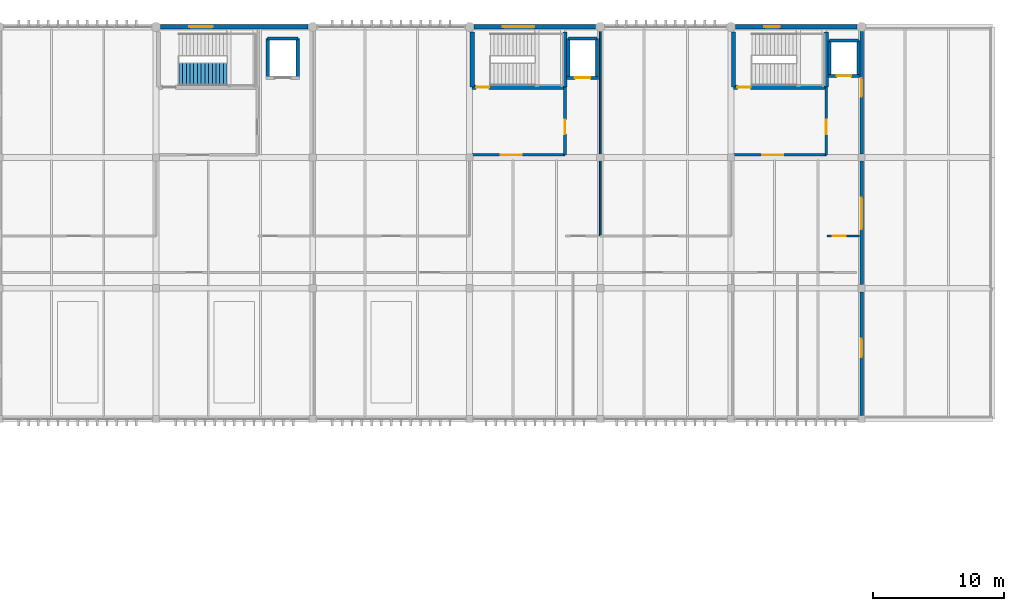
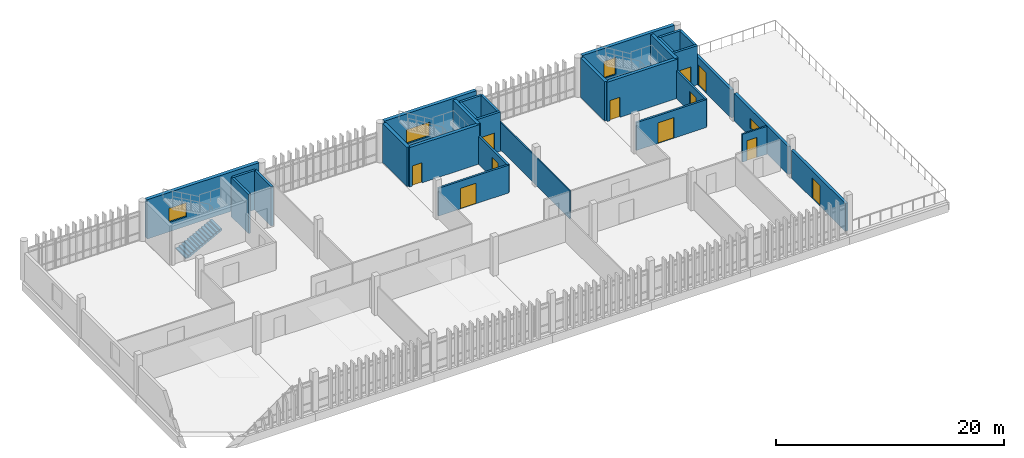
# One storey, part 26 of 29: 29 walls, 11 doors, 4 windows, 1 stair flight, 15 openings, 1 element without a shape of its own.
"""IFC4 building model written with IfcOpenShell, lengths in metres."""

from ifc_helpers import new_model, si_unit, direction, frame, frame_2d, origin, place, context, subcontext, project, spatial, polyline, rectangle, outline, extrude, material, layer, layer_set, type_object, element, fill, aggregate, save


model = new_model("IFC4")

# Units and contexts
model_context = context("Model", 3, precision=1e-05, world=origin(), true_north=direction((0.0, 1.0)))
body_context = subcontext(model_context, "Body", "Model", "MODEL_VIEW")
ifc_project = project(units=[si_unit("LENGTHUNIT", "METRE"), si_unit("AREAUNIT", "SQUARE_METRE"), si_unit("VOLUMEUNIT", "CUBIC_METRE"), si_unit("PLANEANGLEUNIT", "RADIAN"), si_unit("MASSUNIT", "GRAM", prefix="KILO")], contexts=[model_context])

# Site, building, storey
site_placement = place(None, origin())
site = spatial("IfcSite", under=ifc_project, at=site_placement, CompositionType="ELEMENT")
building_placement = place(site_placement, origin())
building = spatial("IfcBuilding", under=site, at=building_placement, Name="Mersad Railyard Sports Hall", CompositionType="ELEMENT")
storey_placement = place(building_placement, frame((0.0, 0.0, 17.39990234375)))
storey = spatial("IfcBuildingStorey", under=building, at=storey_placement, Name="L04", CompositionType="ELEMENT", Elevation=17.39990234375)

# Wall, opening, window
ifc_material_1 = material(Name="Architectural concrete C50/60", Category="concrete")
ifc_layer_1 = layer(ifc_material_1, 0.35009765625)
ifc_layer_set_1 = layer_set([ifc_layer_1], Name="Architectural concrete C50/60")
wall_type_1 = type_object("IfcWallType", Name="ARC-WL-EW02", PredefinedType="SOLIDWALL", material=ifc_layer_set_1)
wall_1_placement = place(storey_placement, frame((67.35009765625, 115.0, 0.0), z_axis=(0.0, 0.0, 1.0), x_axis=(1.0, 0.0, 0.0)))
wall_1 = element("IfcWall", 1, at=wall_1_placement, inside=storey, type_object=wall_type_1, Name="External wall EW02-0138", PredefinedType="SOLIDWALL", context=body_context, shape_type="SweptSolid", body=[
    extrude(rectangle(XDim=11.2998046875, YDim=0.35009765625, at=frame_2d((5.64990234375, 0.0))), origin(), (0.0, 0.0, 1.0), 4.2001953125),
])
opening_1_placement = place(wall_1_placement, frame((2.199951171875, 0.0, 1.0)))
opening_1 = element("IfcOpeningElement", 2, at=opening_1_placement, cuts=wall_1, Name="Opening W05", PredefinedType="OPENING", context=body_context, shape_type="SweptSolid", body=[
    extrude(rectangle(XDim=1.800048828125, YDim=1.5, at=frame_2d((0.89990234375, 0.75))), frame((0.0, 0.18505859375, 0.0), z_axis=(0.0, -1.0, 0.0), x_axis=(1.0, 0.0, 0.0)), (0.0, 0.0, 1.0), 0.3701171875),
])
ifc_material_2 = material(Name="Solar-control glass", Category="glass")
window_type_1 = type_object("IfcWindowType", Name="ARC-WN-W05", PartitioningType="DOUBLE_PANEL_VERTICAL", PredefinedType="WINDOW", material=ifc_material_2)
window_1_placement = place(opening_1_placement, origin())
window_1 = element("IfcWindow", 3, at=window_1_placement, inside=storey, type_object=window_type_1, Name="Window W05-0049", OverallHeight=1.5, OverallWidth=1.800048828125, PartitioningType="DOUBLE_PANEL_VERTICAL", PredefinedType="WINDOW", context=body_context, shape_type="SweptSolid", body=[
    extrude(rectangle(XDim=1.800048828125, YDim=1.5, at=frame_2d((0.89990234375, 0.75))), frame((0.0, 0.030029296875, 0.0), z_axis=(0.0, -1.0, 0.0), x_axis=(1.0, 0.0, 0.0)), (0.0, 0.0, 1.0), 0.06005859375),
])
fill(opening_1, window_1)

wall_2_placement = place(storey_placement, frame((91.35009765625, 115.0, 0.0), z_axis=(0.0, 0.0, 1.0), x_axis=(1.0, 0.0, 0.0)))
wall_2 = element("IfcWall", 4, at=wall_2_placement, inside=storey, type_object=wall_type_1, Name="External wall EW02-0139", PredefinedType="SOLIDWALL", context=body_context, shape_type="SweptSolid", body=[
    extrude(rectangle(XDim=9.2998046875, YDim=0.35009765625, at=frame_2d((4.64990234375, 0.0))), origin(), (0.0, 0.0, 1.0), 4.2001953125),
])
opening_2_placement = place(wall_2_placement, frame((2.199951171875, 0.0, 1.0)))
opening_2 = element("IfcOpeningElement", 5, at=opening_2_placement, cuts=wall_2, Name="Opening W07", PredefinedType="OPENING", context=body_context, shape_type="SweptSolid", body=[
    extrude(rectangle(XDim=2.39990234375, YDim=1.5, at=frame_2d((1.199951171875, 0.75))), frame((0.0, 0.18505859375, 0.0), z_axis=(0.0, -1.0, 0.0), x_axis=(1.0, 0.0, 0.0)), (0.0, 0.0, 1.0), 0.3701171875),
])
window_type_2 = type_object("IfcWindowType", Name="ARC-WN-W07", PartitioningType="DOUBLE_PANEL_VERTICAL", PredefinedType="WINDOW", material=ifc_material_2)
window_2_placement = place(opening_2_placement, origin())
window_2 = element("IfcWindow", 6, at=window_2_placement, inside=storey, type_object=window_type_2, Name="Window W07-0050", OverallHeight=1.5, OverallWidth=2.39990234375, PartitioningType="DOUBLE_PANEL_VERTICAL", PredefinedType="WINDOW", context=body_context, shape_type="SweptSolid", body=[
    extrude(rectangle(XDim=2.39990234375, YDim=1.5, at=frame_2d((1.199951171875, 0.75))), frame((0.0, 0.030029296875, 0.0), z_axis=(0.0, -1.0, 0.0), x_axis=(1.0, 0.0, 0.0)), (0.0, 0.0, 1.0), 0.06005859375),
])
fill(opening_2, window_2)

wall_3_placement = place(storey_placement, frame((111.35009765625, 115.0, 0.0), z_axis=(0.0, 0.0, 1.0), x_axis=(1.0, 0.0, 0.0)))
wall_3 = element("IfcWall", 7, at=wall_3_placement, inside=storey, type_object=wall_type_1, Name="External wall EW02-0140", PredefinedType="SOLIDWALL", context=body_context, shape_type="SweptSolid", body=[
    extrude(rectangle(XDim=9.2998046875, YDim=0.35009765625, at=frame_2d((4.64990234375, 0.0))), origin(), (0.0, 0.0, 1.0), 4.2001953125),
])
opening_3_placement = place(wall_3_placement, frame((2.199951171875, 0.0, 1.0)))
opening_3 = element("IfcOpeningElement", 8, at=opening_3_placement, cuts=wall_3, Name="Opening W09", PredefinedType="OPENING", context=body_context, shape_type="SweptSolid", body=[
    extrude(rectangle(XDim=1.199951171875, YDim=1.800048828125, at=frame_2d((0.60009765625, 0.89990234375))), frame((0.0, 0.18505859375, 0.0), z_axis=(0.0, -1.0, 0.0), x_axis=(1.0, 0.0, 0.0)), (0.0, 0.0, 1.0), 0.3701171875),
])
window_type_3 = type_object("IfcWindowType", Name="ARC-WN-W09", PartitioningType="SINGLE_PANEL", PredefinedType="WINDOW", material=ifc_material_2)
window_3_placement = place(opening_3_placement, origin())
window_3 = element("IfcWindow", 9, at=window_3_placement, inside=storey, type_object=window_type_3, Name="Window W09-0051", OverallHeight=1.800048828125, OverallWidth=1.199951171875, PartitioningType="SINGLE_PANEL", PredefinedType="WINDOW", context=body_context, shape_type="SweptSolid", body=[
    extrude(rectangle(XDim=1.199951171875, YDim=1.800048828125, at=frame_2d((0.60009765625, 0.89990234375))), frame((0.0, 0.030029296875, 0.0), z_axis=(0.0, -1.0, 0.0), x_axis=(1.0, 0.0, 0.0)), (0.0, 0.0, 1.0), 0.06005859375),
])
fill(opening_3, window_3)

# Wall, opening, door
ifc_material_3 = material(Name="Precast concrete C45/55", Category="concrete")
ifc_layer_2 = layer(ifc_material_3, 0.280029296875)
ifc_layer_set_2 = layer_set([ifc_layer_2], Name="Precast concrete C45/55")
wall_type_2 = type_object("IfcWallType", Name="ARC-WL-EW03", PredefinedType="SOLIDWALL", material=ifc_layer_set_2)
wall_4_placement = place(storey_placement, frame((121.0, 94.72509765625, 0.0), z_axis=(0.0, 0.0, 1.0), x_axis=(0.0, -1.0, 0.0)))
wall_4 = element("IfcWall", 10, at=wall_4_placement, inside=storey, type_object=wall_type_2, Name="External wall EW03-0144", PredefinedType="SOLIDWALL", context=body_context, shape_type="SweptSolid", body=[
    extrude(rectangle(XDim=9.4501953125, YDim=0.280029296875, at=frame_2d((4.72509765625, 0.0))), origin(), (0.0, 0.0, 1.0), 2.97509765625),
])
opening_4_placement = place(wall_4_placement, frame((3.60009765625, 0.0, 0.0)))
opening_4 = element("IfcOpeningElement", 11, at=opening_4_placement, cuts=wall_4, Name="Opening TD03", PredefinedType="OPENING", context=body_context, shape_type="SweptSolid", body=[
    extrude(rectangle(XDim=1.39990234375, YDim=2.199951171875, at=frame_2d((0.699951171875, 1.10009765625))), frame((0.0, 0.14990234375, 0.0), z_axis=(0.0, -1.0, 0.0), x_axis=(1.0, 0.0, 0.0)), (0.0, 0.0, 1.0), 0.300048828125),
])
ifc_material_4 = material(Name="Aluminium 6063-T6", Category="aluminium")
door_type_1 = type_object("IfcDoorType", Name="ARC-DR-TD03", OperationType="NOTDEFINED", PredefinedType="DOOR", material=ifc_material_4)
door_1_placement = place(opening_4_placement, origin())
door_1 = element("IfcDoor", 12, at=door_1_placement, inside=storey, type_object=door_type_1, Name="L04 east terrace door TD03-044", OperationType="DOUBLE_DOOR_SINGLE_SWING", OverallHeight=2.199951171875, OverallWidth=1.39990234375, PredefinedType="DOOR", context=body_context, shape_type="SweptSolid", body=[
    extrude(rectangle(XDim=1.39990234375, YDim=2.199951171875, at=frame_2d((0.699951171875, 1.10009765625))), frame((0.0, 0.02490234375, 0.0), z_axis=(0.0, -1.0, 0.0), x_axis=(1.0, 0.0, 0.0)), (0.0, 0.0, 1.0), 0.050048828125),
])
fill(opening_4, door_1)

# Wall, opening, window
wall_5_placement = place(storey_placement, frame((121.0, 104.72509765625, 0.0), z_axis=(0.0, 0.0, 1.0), x_axis=(0.0, -1.0, 0.0)))
wall_5 = element("IfcWall", 13, at=wall_5_placement, inside=storey, type_object=wall_type_2, Name="External wall EW03-0145", PredefinedType="SOLIDWALL", context=body_context, shape_type="SweptSolid", body=[
    extrude(rectangle(XDim=9.4501953125, YDim=0.280029296875, at=frame_2d((4.72509765625, 0.0))), origin(), (0.0, 0.0, 1.0), 2.97509765625),
])
opening_5_placement = place(wall_5_placement, frame((2.800048828125, 0.0, 0.89990234375)))
opening_5 = element("IfcOpeningElement", 14, at=opening_5_placement, cuts=wall_5, Name="Opening W23", PredefinedType="OPENING", context=body_context, shape_type="SweptSolid", body=[
    extrude(rectangle(XDim=2.39990234375, YDim=1.10009765625, at=frame_2d((1.199951171875, 0.550048828125))), frame((0.0, 0.14990234375, 0.0), z_axis=(0.0, -1.0, 0.0), x_axis=(1.0, 0.0, 0.0)), (0.0, 0.0, 1.0), 0.300048828125),
])
window_type_4 = type_object("IfcWindowType", Name="ARC-WN-W23", PartitioningType="DOUBLE_PANEL_VERTICAL", PredefinedType="WINDOW", material=ifc_material_2)
window_4_placement = place(opening_5_placement, origin())
window_4 = element("IfcWindow", 15, at=window_4_placement, inside=storey, type_object=window_type_4, Name="Window W23-0055", OverallHeight=1.10009765625, OverallWidth=2.39990234375, PartitioningType="DOUBLE_PANEL_VERTICAL", PredefinedType="WINDOW", context=body_context, shape_type="SweptSolid", body=[
    extrude(rectangle(XDim=2.39990234375, YDim=1.10009765625, at=frame_2d((1.199951171875, 0.550048828125))), frame((0.0, 0.030029296875, 0.0), z_axis=(0.0, -1.0, 0.0), x_axis=(1.0, 0.0, 0.0)), (0.0, 0.0, 1.0), 0.06005859375),
])
fill(opening_5, window_4)

# Wall, opening, door
wall_6_placement = place(storey_placement, frame((121.0, 114.64990234375, 0.0), z_axis=(0.0, 0.0, 1.0), x_axis=(0.0, -1.0, 0.0)))
wall_6 = element("IfcWall", 16, at=wall_6_placement, inside=storey, type_object=wall_type_2, Name="External wall EW03-0146", PredefinedType="SOLIDWALL", context=body_context, shape_type="SweptSolid", body=[
    extrude(rectangle(XDim=9.375, YDim=0.280029296875, at=frame_2d((4.6875, 0.0))), origin(), (0.0, 0.0, 1.0), 2.97509765625),
])
opening_6_placement = place(wall_6_placement, frame((3.60009765625, 0.0, 0.0)))
opening_6 = element("IfcOpeningElement", 17, at=opening_6_placement, cuts=wall_6, Name="Opening TD03", PredefinedType="OPENING", context=body_context, shape_type="SweptSolid", body=[
    extrude(rectangle(XDim=1.39990234375, YDim=2.199951171875, at=frame_2d((0.699951171875, 1.10009765625))), frame((0.0, 0.14990234375, 0.0), z_axis=(0.0, -1.0, 0.0), x_axis=(1.0, 0.0, 0.0)), (0.0, 0.0, 1.0), 0.300048828125),
])
door_2_placement = place(opening_6_placement, origin())
door_2 = element("IfcDoor", 18, at=door_2_placement, inside=storey, type_object=door_type_1, Name="L04 east terrace door TD03-045", OperationType="DOUBLE_DOOR_SINGLE_SWING", OverallHeight=2.199951171875, OverallWidth=1.39990234375, PredefinedType="DOOR", context=body_context, shape_type="SweptSolid", body=[
    extrude(rectangle(XDim=1.39990234375, YDim=2.199951171875, at=frame_2d((0.699951171875, 1.10009765625))), frame((0.0, 0.02490234375, 0.0), z_axis=(0.0, -1.0, 0.0), x_axis=(1.0, 0.0, 0.0)), (0.0, 0.0, 1.0), 0.050048828125),
])
fill(opening_6, door_2)

ifc_layer_3 = layer(ifc_material_3, 0.199951171875)
ifc_layer_set_3 = layer_set([ifc_layer_3], Name="Precast concrete C45/55")
wall_type_3 = type_object("IfcWallType", Name="ARC-WL-PT01", PredefinedType="PARTITIONING", material=ifc_layer_set_3)
wall_7_placement = place(storey_placement, frame((91.199951171875, 105.199951171875, 0.0), z_axis=(0.0, 0.0, 1.0), x_axis=(1.0, 0.0, 0.0)))
wall_7 = element("IfcWall", 19, at=wall_7_placement, inside=storey, type_object=wall_type_3, Name="Interior wall PT01-0226", PredefinedType="PARTITIONING", context=body_context, shape_type="SweptSolid", body=[
    extrude(rectangle(XDim=7.10009765625, YDim=0.199951171875, at=frame_2d((3.550048828125, 0.0))), origin(), (0.0, 0.0, 1.0), 2.97509765625),
])
opening_7_placement = place(wall_7_placement, frame((2.199951171875, 0.0, 0.0)))
opening_7 = element("IfcOpeningElement", 20, at=opening_7_placement, cuts=wall_7, Name="Opening FD04", PredefinedType="OPENING", context=body_context, shape_type="SweptSolid", body=[
    extrude(rectangle(XDim=1.60009765625, YDim=2.199951171875, at=frame_2d((0.800048828125, 1.10009765625))), frame((0.0, 0.10986328125, 0.0), z_axis=(0.0, -1.0, 0.0), x_axis=(1.0, 0.0, 0.0)), (0.0, 0.0, 1.0), 0.219970703125),
])
ifc_material_5 = material(Name="Steel S355", Category="steel")
door_type_2 = type_object("IfcDoorType", Name="ARC-DR-FD04", OperationType="NOTDEFINED", PredefinedType="DOOR", material=ifc_material_5)
door_3_placement = place(opening_7_placement, origin())
door_3 = element("IfcDoor", 21, at=door_3_placement, inside=storey, type_object=door_type_2, Name="C2 firefighting lobby door FD04-0090", OperationType="DOUBLE_DOOR_SINGLE_SWING", OverallHeight=2.199951171875, OverallWidth=1.60009765625, PredefinedType="DOOR", context=body_context, shape_type="SweptSolid", body=[
    extrude(rectangle(XDim=1.60009765625, YDim=2.199951171875, at=frame_2d((0.800048828125, 1.10009765625))), frame((0.0, 0.02490234375, 0.0), z_axis=(0.0, -1.0, 0.0), x_axis=(1.0, 0.0, 0.0)), (0.0, 0.0, 1.0), 0.050048828125),
])
fill(opening_7, door_3)

wall_8_placement = place(storey_placement, frame((98.300048828125, 105.199951171875, 0.0), z_axis=(0.0, 0.0, 1.0), x_axis=(0.0, 1.0, 0.0)))
wall_8 = element("IfcWall", 22, at=wall_8_placement, inside=storey, type_object=wall_type_3, Name="Interior wall PT01-0227", PredefinedType="PARTITIONING", context=body_context, shape_type="SweptSolid", body=[
    extrude(rectangle(XDim=5.179931640625, YDim=0.199951171875, at=frame_2d((2.58984375, 0.0))), origin(), (0.0, 0.0, 1.0), 2.97509765625),
])
opening_8_placement = place(wall_8_placement, frame((1.60009765625, 0.0, 0.0)))
opening_8 = element("IfcOpeningElement", 23, at=opening_8_placement, cuts=wall_8, Name="Opening FD01", PredefinedType="OPENING", context=body_context, shape_type="SweptSolid", body=[
    extrude(rectangle(XDim=1.10009765625, YDim=2.14990234375, at=frame_2d((0.550048828125, 1.074951171875))), frame((0.0, 0.10986328125, 0.0), z_axis=(0.0, -1.0, 0.0), x_axis=(1.0, 0.0, 0.0)), (0.0, 0.0, 1.0), 0.219970703125),
])
door_type_3 = type_object("IfcDoorType", Name="ARC-DR-FD01", OperationType="NOTDEFINED", PredefinedType="DOOR", material=ifc_material_5)
door_4_placement = place(opening_8_placement, origin())
door_4 = element("IfcDoor", 24, at=door_4_placement, inside=storey, type_object=door_type_3, Name="C2 lift-to-firefighting lobby door FD01-0091", OperationType="SINGLE_SWING_RIGHT", OverallHeight=2.14990234375, OverallWidth=1.10009765625, PredefinedType="DOOR", context=body_context, shape_type="SweptSolid", body=[
    extrude(rectangle(XDim=1.10009765625, YDim=2.14990234375, at=frame_2d((0.550048828125, 1.074951171875))), frame((0.0, 0.02490234375, 0.0), z_axis=(0.0, -1.0, 0.0), x_axis=(1.0, 0.0, 0.0)), (0.0, 0.0, 1.0), 0.050048828125),
])
fill(opening_8, door_4)

wall_9_placement = place(storey_placement, frame((111.199951171875, 105.199951171875, 0.0), z_axis=(0.0, 0.0, 1.0), x_axis=(1.0, 0.0, 0.0)))
wall_9 = element("IfcWall", 25, at=wall_9_placement, inside=storey, type_object=wall_type_3, Name="Interior wall PT01-0268", PredefinedType="PARTITIONING", context=body_context, shape_type="SweptSolid", body=[
    extrude(rectangle(XDim=7.10009765625, YDim=0.199951171875, at=frame_2d((3.550048828125, 0.0))), origin(), (0.0, 0.0, 1.0), 2.97509765625),
])
opening_9_placement = place(wall_9_placement, frame((2.199951171875, 0.0, 0.0)))
opening_9 = element("IfcOpeningElement", 26, at=opening_9_placement, cuts=wall_9, Name="Opening FD04", PredefinedType="OPENING", context=body_context, shape_type="SweptSolid", body=[
    extrude(rectangle(XDim=1.60009765625, YDim=2.199951171875, at=frame_2d((0.800048828125, 1.10009765625))), frame((0.0, 0.10986328125, 0.0), z_axis=(0.0, -1.0, 0.0), x_axis=(1.0, 0.0, 0.0)), (0.0, 0.0, 1.0), 0.219970703125),
])
door_5_placement = place(opening_9_placement, origin())
door_5 = element("IfcDoor", 27, at=door_5_placement, inside=storey, type_object=door_type_2, Name="C3 firefighting lobby door FD04-0118", OperationType="DOUBLE_DOOR_SINGLE_SWING", OverallHeight=2.199951171875, OverallWidth=1.60009765625, PredefinedType="DOOR", context=body_context, shape_type="SweptSolid", body=[
    extrude(rectangle(XDim=1.60009765625, YDim=2.199951171875, at=frame_2d((0.800048828125, 1.10009765625))), frame((0.0, 0.02490234375, 0.0), z_axis=(0.0, -1.0, 0.0), x_axis=(1.0, 0.0, 0.0)), (0.0, 0.0, 1.0), 0.050048828125),
])
fill(opening_9, door_5)

wall_10_placement = place(storey_placement, frame((118.300048828125, 105.199951171875, 0.0), z_axis=(0.0, 0.0, 1.0), x_axis=(0.0, 1.0, 0.0)))
wall_10 = element("IfcWall", 28, at=wall_10_placement, inside=storey, type_object=wall_type_3, Name="Interior wall PT01-0269", PredefinedType="PARTITIONING", context=body_context, shape_type="SweptSolid", body=[
    extrude(rectangle(XDim=5.179931640625, YDim=0.199951171875, at=frame_2d((2.58984375, 0.0))), origin(), (0.0, 0.0, 1.0), 2.97509765625),
])
opening_10_placement = place(wall_10_placement, frame((1.60009765625, 0.0, 0.0)))
opening_10 = element("IfcOpeningElement", 29, at=opening_10_placement, cuts=wall_10, Name="Opening FD01", PredefinedType="OPENING", context=body_context, shape_type="SweptSolid", body=[
    extrude(rectangle(XDim=1.10009765625, YDim=2.14990234375, at=frame_2d((0.550048828125, 1.074951171875))), frame((0.0, 0.10986328125, 0.0), z_axis=(0.0, -1.0, 0.0), x_axis=(1.0, 0.0, 0.0)), (0.0, 0.0, 1.0), 0.219970703125),
])
door_6_placement = place(opening_10_placement, origin())
door_6 = element("IfcDoor", 30, at=door_6_placement, inside=storey, type_object=door_type_3, Name="C3 lift-to-firefighting lobby door FD01-0119", OperationType="SINGLE_SWING_LEFT", OverallHeight=2.14990234375, OverallWidth=1.10009765625, PredefinedType="DOOR", context=body_context, shape_type="SweptSolid", body=[
    extrude(rectangle(XDim=1.10009765625, YDim=2.14990234375, at=frame_2d((0.550048828125, 1.074951171875))), frame((0.0, 0.02490234375, 0.0), z_axis=(0.0, -1.0, 0.0), x_axis=(1.0, 0.0, 0.0)), (0.0, 0.0, 1.0), 0.050048828125),
])
fill(opening_10, door_6)

ifc_material_6 = material(Name="Gypsum plasterboard", Category="gypsum")
ifc_layer_4 = layer(ifc_material_6, 0.159912109375)
ifc_layer_set_4 = layer_set([ifc_layer_4], Name="Gypsum plasterboard")
wall_type_4 = type_object("IfcWallType", Name="ARC-WL-PT02", PredefinedType="PARTITIONING", material=ifc_layer_set_4)
wall_11_placement = place(storey_placement, frame((118.35009765625, 99.0, 0.0), z_axis=(0.0, 0.0, 1.0), x_axis=(1.0, 0.0, 0.0)))
wall_11 = element("IfcWall", 31, at=wall_11_placement, inside=storey, type_object=wall_type_4, Name="Interior wall PT02-0270", PredefinedType="PARTITIONING", context=body_context, shape_type="SweptSolid", body=[
    extrude(rectangle(XDim=2.5, YDim=0.159912109375, at=frame_2d((1.25, 0.0))), origin(), (0.0, 0.0, 1.0), 2.97509765625),
])
opening_11_placement = place(wall_11_placement, frame((0.449951171875, 0.0, 0.0)))
opening_11 = element("IfcOpeningElement", 32, at=opening_11_placement, cuts=wall_11, Name="Opening FD02", PredefinedType="OPENING", context=body_context, shape_type="SweptSolid", body=[
    extrude(rectangle(XDim=1.0, YDim=2.14990234375, at=frame_2d((0.5, 1.074951171875))), frame((0.0, 0.08984375, 0.0), z_axis=(0.0, -1.0, 0.0), x_axis=(1.0, 0.0, 0.0)), (0.0, 0.0, 1.0), 0.179931640625),
])
door_type_4 = type_object("IfcDoorType", Name="ARC-DR-FD02", OperationType="NOTDEFINED", PredefinedType="DOOR", material=ifc_material_5)
door_7_placement = place(opening_11_placement, origin())
door_7 = element("IfcDoor", 33, at=door_7_placement, inside=storey, type_object=door_type_4, Name="C3 lift lobby corridor door FD02-0120", OperationType="SINGLE_SWING_RIGHT", OverallHeight=2.14990234375, OverallWidth=1.0, PredefinedType="DOOR", context=body_context, shape_type="SweptSolid", body=[
    extrude(rectangle(XDim=1.0, YDim=2.14990234375, at=frame_2d((0.5, 1.074951171875))), frame((0.0, 0.02490234375, 0.0), z_axis=(0.0, -1.0, 0.0), x_axis=(1.0, 0.0, 0.0)), (0.0, 0.0, 1.0), 0.050048828125),
])
fill(opening_11, door_7)

# Wall
ifc_layer_5 = layer(ifc_material_6, 0.1201171875)
ifc_layer_set_5 = layer_set([ifc_layer_5], Name="Gypsum plasterboard")
wall_type_5 = type_object("IfcWallType", Name="ARC-WL-PT04", PredefinedType="PARTITIONING", material=ifc_layer_set_5)
wall_12_placement = place(storey_placement, frame((101.0, 99.0, 0.0), z_axis=(0.0, 0.0, 1.0), x_axis=(0.0, 1.0, 0.0)))
element("IfcWall", 34, at=wall_12_placement, inside=storey, type_object=wall_type_5, Name="Interior wall PT04-0513", PredefinedType="PARTITIONING", context=body_context, shape_type="SweptSolid", body=[
    extrude(rectangle(XDim=15.75, YDim=0.1201171875, at=frame_2d((7.875, 0.0))), origin(), (0.0, 0.0, 1.0), 2.97509765625),
])

# Wall, opening, door
ifc_material_7 = material(Name="Concrete C40/50", Category="concrete")
ifc_layer_6 = layer(ifc_material_7, 0.320068359375)
ifc_layer_set_6 = layer_set([ifc_layer_6], Name="Concrete C40/50")
wall_type_6 = type_object("IfcWallType", Name="STR-WL-SW02", PredefinedType="SHEAR", material=ifc_layer_set_6)
wall_13_placement = place(storey_placement, frame((91.199951171875, 110.3798828125, 0.0), z_axis=(0.0, 0.0, 1.0), x_axis=(1.0, 0.0, 0.0)))
wall_13 = element("IfcWall", 35, at=wall_13_placement, inside=storey, type_object=wall_type_6, Name="Interior wall SW02-0223", PredefinedType="SHEAR", context=body_context, shape_type="SweptSolid", body=[
    extrude(rectangle(XDim=7.10009765625, YDim=0.320068359375, at=frame_2d((3.550048828125, 0.0))), origin(), (0.0, 0.0, 1.0), 4.2001953125),
])
opening_12_placement = place(wall_13_placement, frame((0.300048828125, 0.0, 0.0)))
opening_12 = element("IfcOpeningElement", 36, at=opening_12_placement, cuts=wall_13, Name="Opening FD02", PredefinedType="OPENING", context=body_context, shape_type="SweptSolid", body=[
    extrude(rectangle(XDim=1.0, YDim=2.14990234375, at=frame_2d((0.5, 1.074951171875))), frame((0.0, 0.169921875, 0.0), z_axis=(0.0, -1.0, 0.0), x_axis=(1.0, 0.0, 0.0)), (0.0, 0.0, 1.0), 0.340087890625),
])
door_8_placement = place(opening_12_placement, origin())
door_8 = element("IfcDoor", 37, at=door_8_placement, inside=storey, type_object=door_type_4, Name="C2 stair entrance door FD02-0089", OperationType="SINGLE_SWING_LEFT", OverallHeight=2.14990234375, OverallWidth=1.0, PredefinedType="DOOR", context=body_context, shape_type="SweptSolid", body=[
    extrude(rectangle(XDim=1.0, YDim=2.14990234375, at=frame_2d((0.5, 1.074951171875))), frame((0.0, 0.02490234375, 0.0), z_axis=(0.0, -1.0, 0.0), x_axis=(1.0, 0.0, 0.0)), (0.0, 0.0, 1.0), 0.050048828125),
])
fill(opening_12, door_8)

# Walls
for number, where, z_axis, x_axis, name in (
    (38, (98.300048828125, 110.3798828125, 0.0), (0.0, 0.0, 1.0), (0.0, 1.0, 0.0), "Interior wall SW02-0224"),
    (39, (91.199951171875, 114.6201171875, 0.0), (0.0, 0.0, 1.0), (0.0, -1.0, 0.0), "Interior wall SW02-0225"),
):
    element("IfcWall", number, at=place(storey_placement, frame(where, z_axis=z_axis, x_axis=x_axis)), inside=storey, type_object=wall_type_6, Name=name, PredefinedType="SHEAR", context=body_context, shape_type="SweptSolid", body=[
        extrude(rectangle(XDim=4.240234375, YDim=0.320068359375, at=frame_2d((2.1201171875, 0.0))), origin(), (0.0, 0.0, 1.0), 4.2001953125),
    ])

# Wall, opening, door
wall_14_placement = place(storey_placement, frame((111.199951171875, 110.3798828125, 0.0), z_axis=(0.0, 0.0, 1.0), x_axis=(1.0, 0.0, 0.0)))
wall_14 = element("IfcWall", 40, at=wall_14_placement, inside=storey, type_object=wall_type_6, Name="Interior wall SW02-0265", PredefinedType="SHEAR", context=body_context, shape_type="SweptSolid", body=[
    extrude(rectangle(XDim=7.10009765625, YDim=0.320068359375, at=frame_2d((3.550048828125, 0.0))), origin(), (0.0, 0.0, 1.0), 4.2001953125),
])
opening_13_placement = place(wall_14_placement, frame((0.300048828125, 0.0, 0.0)))
opening_13 = element("IfcOpeningElement", 41, at=opening_13_placement, cuts=wall_14, Name="Opening FD02", PredefinedType="OPENING", context=body_context, shape_type="SweptSolid", body=[
    extrude(rectangle(XDim=1.0, YDim=2.14990234375, at=frame_2d((0.5, 1.074951171875))), frame((0.0, 0.169921875, 0.0), z_axis=(0.0, -1.0, 0.0), x_axis=(1.0, 0.0, 0.0)), (0.0, 0.0, 1.0), 0.340087890625),
])
door_9_placement = place(opening_13_placement, origin())
door_9 = element("IfcDoor", 42, at=door_9_placement, inside=storey, type_object=door_type_4, Name="C3 stair entrance door FD02-0117", OperationType="SINGLE_SWING_RIGHT", OverallHeight=2.14990234375, OverallWidth=1.0, PredefinedType="DOOR", context=body_context, shape_type="SweptSolid", body=[
    extrude(rectangle(XDim=1.0, YDim=2.14990234375, at=frame_2d((0.5, 1.074951171875))), frame((0.0, 0.02490234375, 0.0), z_axis=(0.0, -1.0, 0.0), x_axis=(1.0, 0.0, 0.0)), (0.0, 0.0, 1.0), 0.050048828125),
])
fill(opening_13, door_9)

# Walls
for number, where, z_axis, x_axis, name in (
    (43, (118.300048828125, 110.3798828125, 0.0), (0.0, 0.0, 1.0), (0.0, 1.0, 0.0), "Interior wall SW02-0266"),
    (44, (111.199951171875, 114.6201171875, 0.0), (0.0, 0.0, 1.0), (0.0, -1.0, 0.0), "Interior wall SW02-0267"),
):
    element("IfcWall", number, at=place(storey_placement, frame(where, z_axis=z_axis, x_axis=x_axis)), inside=storey, type_object=wall_type_6, Name=name, PredefinedType="SHEAR", context=body_context, shape_type="SweptSolid", body=[
        extrude(rectangle(XDim=4.240234375, YDim=0.320068359375, at=frame_2d((2.1201171875, 0.0))), origin(), (0.0, 0.0, 1.0), 4.2001953125),
    ])
ifc_layer_7 = layer(ifc_material_7, 0.239990234375)
ifc_layer_set_7 = layer_set([ifc_layer_7], Name="Concrete C40/50")
wall_type_7 = type_object("IfcWallType", Name="STR-WL-SW03", PredefinedType="SHEAR", material=ifc_layer_set_7)
for number, where, z_axis, x_axis, name in (
    (45, (75.550048828125, 111.10009765625, 0.0), (0.0, 0.0, 1.0), (0.0, 1.0, 0.0), "Interior wall SW03-0020"),
    (46, (77.85009765625, 114.10009765625, 0.0), (0.0, 0.0, 1.0), (0.0, -1.0, 0.0), "Interior wall SW03-0021"),
):
    element("IfcWall", number, at=place(storey_placement, frame(where, z_axis=z_axis, x_axis=x_axis)), inside=storey, type_object=wall_type_7, Name=name, PredefinedType="SHEAR", context=body_context, shape_type="SweptSolid", body=[
        extrude(rectangle(XDim=3.0, YDim=0.239990234375, at=frame_2d((1.5, 0.0))), origin(), (0.0, 0.0, 1.0), 4.2001953125),
    ])
wall_15_placement = place(storey_placement, frame((75.550048828125, 114.10009765625, 0.0), z_axis=(0.0, 0.0, 1.0), x_axis=(1.0, 0.0, 0.0)))
element("IfcWall", 47, at=wall_15_placement, inside=storey, type_object=wall_type_7, Name="Interior wall SW03-0022", PredefinedType="SHEAR", context=body_context, shape_type="SweptSolid", body=[
    extrude(rectangle(XDim=2.300048828125, YDim=0.239990234375, at=frame_2d((1.14990234375, 0.0))), origin(), (0.0, 0.0, 1.0), 4.2001953125),
])
for number, where, z_axis, x_axis, name in (
    (48, (98.550048828125, 111.10009765625, 0.0), (0.0, 0.0, 1.0), (0.0, 1.0, 0.0), "Interior wall SW03-0047"),
    (49, (100.75, 114.10009765625, 0.0), (0.0, 0.0, 1.0), (0.0, -1.0, 0.0), "Interior wall SW03-0048"),
):
    element("IfcWall", number, at=place(storey_placement, frame(where, z_axis=z_axis, x_axis=x_axis)), inside=storey, type_object=wall_type_7, Name=name, PredefinedType="SHEAR", context=body_context, shape_type="SweptSolid", body=[
        extrude(rectangle(XDim=3.0, YDim=0.239990234375, at=frame_2d((1.5, 0.0))), origin(), (0.0, 0.0, 1.0), 4.2001953125),
    ])
wall_16_placement = place(storey_placement, frame((98.550048828125, 114.10009765625, 0.0), z_axis=(0.0, 0.0, 1.0), x_axis=(1.0, 0.0, 0.0)))
element("IfcWall", 50, at=wall_16_placement, inside=storey, type_object=wall_type_7, Name="Interior wall SW03-0049", PredefinedType="SHEAR", context=body_context, shape_type="SweptSolid", body=[
    extrude(rectangle(XDim=2.199951171875, YDim=0.239990234375, at=frame_2d((1.10009765625, 0.0))), origin(), (0.0, 0.0, 1.0), 4.2001953125),
])

# Wall, opening, door
wall_17_placement = place(storey_placement, frame((100.8701171875, 111.10009765625, 0.0), z_axis=(0.0, 0.0, 1.0), x_axis=(-1.0, 0.0, 0.0)))
wall_17 = element("IfcWall", 51, at=wall_17_placement, inside=storey, type_object=wall_type_7, Name="Interior wall SW03-0050", PredefinedType="SHEAR", context=body_context, shape_type="SweptSolid", body=[
    extrude(rectangle(XDim=2.440185546875, YDim=0.239990234375, at=frame_2d((1.22021484375, 0.0))), origin(), (0.0, 0.0, 1.0), 4.2001953125),
])
opening_14_placement = place(wall_17_placement, frame((0.6201171875, 0.0, 0.0)))
opening_14 = element("IfcOpeningElement", 52, at=opening_14_placement, cuts=wall_17, Name="Opening LD02", PredefinedType="OPENING", context=body_context, shape_type="SweptSolid", body=[
    extrude(rectangle(XDim=1.199951171875, YDim=2.14990234375, at=frame_2d((0.60009765625, 1.074951171875))), frame((0.0, 0.1298828125, 0.0), z_axis=(0.0, -1.0, 0.0), x_axis=(1.0, 0.0, 0.0)), (0.0, 0.0, 1.0), 0.260009765625),
])
door_type_5 = type_object("IfcDoorType", Name="ARC-DR-LD02", OperationType="NOTDEFINED", PredefinedType="USERDEFINED", material=ifc_material_5)
door_10_placement = place(opening_14_placement, origin())
door_10 = element("IfcDoor", 53, at=door_10_placement, inside=storey, type_object=door_type_5, Name="Lift FFL-02 landing door LD02-0013", ObjectType="LANDING DOOR", OperationType="DOUBLE_DOOR_SLIDING", OverallHeight=2.14990234375, OverallWidth=1.199951171875, PredefinedType="USERDEFINED", context=body_context, shape_type="SweptSolid", body=[
    extrude(rectangle(XDim=1.199951171875, YDim=2.14990234375, at=frame_2d((0.60009765625, 1.074951171875))), frame((0.0, 0.02490234375, 0.0), z_axis=(0.0, -1.0, 0.0), x_axis=(1.0, 0.0, 0.0)), (0.0, 0.0, 1.0), 0.050048828125),
])
fill(opening_14, door_10)

# Walls
for number, where, z_axis, x_axis, name in (
    (54, (118.550048828125, 111.25, 0.0), (0.0, 0.0, 1.0), (0.0, 1.0, 0.0), "Interior wall SW03-0074"),
    (55, (120.75, 113.949951171875, 0.0), (0.0, 0.0, 1.0), (0.0, -1.0, 0.0), "Interior wall SW03-0075"),
):
    element("IfcWall", number, at=place(storey_placement, frame(where, z_axis=z_axis, x_axis=x_axis)), inside=storey, type_object=wall_type_7, Name=name, PredefinedType="SHEAR", context=body_context, shape_type="SweptSolid", body=[
        extrude(rectangle(XDim=2.699951171875, YDim=0.239990234375, at=frame_2d((1.35009765625, 0.0))), origin(), (0.0, 0.0, 1.0), 4.2001953125),
    ])
wall_18_placement = place(storey_placement, frame((118.550048828125, 113.949951171875, 0.0), z_axis=(0.0, 0.0, 1.0), x_axis=(1.0, 0.0, 0.0)))
element("IfcWall", 56, at=wall_18_placement, inside=storey, type_object=wall_type_7, Name="Interior wall SW03-0076", PredefinedType="SHEAR", context=body_context, shape_type="SweptSolid", body=[
    extrude(rectangle(XDim=2.199951171875, YDim=0.239990234375, at=frame_2d((1.10009765625, 0.0))), origin(), (0.0, 0.0, 1.0), 4.2001953125),
])

# Wall, opening, door
wall_19_placement = place(storey_placement, frame((120.8701171875, 111.25, 0.0), z_axis=(0.0, 0.0, 1.0), x_axis=(-1.0, 0.0, 0.0)))
wall_19 = element("IfcWall", 57, at=wall_19_placement, inside=storey, type_object=wall_type_7, Name="Interior wall SW03-0077", PredefinedType="SHEAR", context=body_context, shape_type="SweptSolid", body=[
    extrude(rectangle(XDim=2.440185546875, YDim=0.239990234375, at=frame_2d((1.22021484375, 0.0))), origin(), (0.0, 0.0, 1.0), 4.2001953125),
])
opening_15_placement = place(wall_19_placement, frame((0.669921875, 0.0, 0.0)))
opening_15 = element("IfcOpeningElement", 58, at=opening_15_placement, cuts=wall_19, Name="Opening LD01", PredefinedType="OPENING", context=body_context, shape_type="SweptSolid", body=[
    extrude(rectangle(XDim=1.10009765625, YDim=2.14990234375, at=frame_2d((0.550048828125, 1.074951171875))), frame((0.0, 0.1298828125, 0.0), z_axis=(0.0, -1.0, 0.0), x_axis=(1.0, 0.0, 0.0)), (0.0, 0.0, 1.0), 0.260009765625),
])
door_type_6 = type_object("IfcDoorType", Name="ARC-DR-LD01", OperationType="NOTDEFINED", PredefinedType="USERDEFINED", material=ifc_material_5)
door_11_placement = place(opening_15_placement, origin())
door_11 = element("IfcDoor", 59, at=door_11_placement, inside=storey, type_object=door_type_6, Name="Lift PL-03 landing door LD01-0020", ObjectType="LANDING DOOR", OperationType="DOUBLE_DOOR_SLIDING", OverallHeight=2.14990234375, OverallWidth=1.10009765625, PredefinedType="USERDEFINED", context=body_context, shape_type="SweptSolid", body=[
    extrude(rectangle(XDim=1.10009765625, YDim=2.14990234375, at=frame_2d((0.550048828125, 1.074951171875))), frame((0.0, 0.02490234375, 0.0), z_axis=(0.0, -1.0, 0.0), x_axis=(1.0, 0.0, 0.0)), (0.0, 0.0, 1.0), 0.050048828125),
])
fill(opening_15, door_11)

# Stair, stair flight
stair_type = type_object("IfcStairType", Name="ARC-ST-ST01F", PredefinedType="HALF_TURN_STAIR", material=ifc_material_7)
stair_placement = place(storey_placement, origin())
stair = element("IfcStair", 60, at=stair_placement, inside=storey, type_object=stair_type, Name="Core C1 Exit Stair L04-L05", PredefinedType="HALF_TURN_STAIR")
stair_flight_type = type_object("IfcStairFlightType", Name="ARC-SF-ST01FF", PredefinedType="STRAIGHT", material=ifc_material_7)
stair_flight_placement = place(storey_placement, frame((68.75, 111.389892578125, 0.0), z_axis=(0.0, 0.0, 1.0), x_axis=(1.0, 0.0, 0.0)))
stair_flight = element("IfcStairFlight", 61, at=stair_flight_placement, type_object=stair_flight_type, Name="Core C1 Exit Stair L04-L05 Flight 1", NumberOfRisers=14, NumberOfTreads=13, PredefinedType="STRAIGHT", RiserHeight=0.15, TreadLength=0.284, context=body_context, shape_type="SweptSolid", body=[
    extrude(outline(polyline([(0.0, 0.0), (0.0, 0.14990234375), (0.283935546875, 0.14990234375), (0.283935546875, 0.300048828125), (0.568115234375, 0.300048828125), (0.568115234375, 0.449951171875), (0.85205078125, 0.449951171875), (0.85205078125, 0.60009765625), (1.135986328125, 0.60009765625), (1.135986328125, 0.75), (1.419921875, 0.75), (1.419921875, 0.89990234375), (1.7041015625, 0.89990234375), (1.7041015625, 1.050048828125), (1.988037109375, 1.050048828125), (1.988037109375, 1.199951171875), (2.27197265625, 1.199951171875), (2.27197265625, 1.35009765625), (2.555908203125, 1.35009765625), (2.555908203125, 1.5), (2.840087890625, 1.5), (2.840087890625, 1.64990234375), (3.1240234375, 1.64990234375), (3.1240234375, 1.800048828125), (3.407958984375, 1.800048828125), (3.407958984375, 1.949951171875), (3.69189453125, 1.949951171875), (3.69189453125, 2.10009765625), (3.69189453125, 1.76904296875), (0.34228515625, 0.0), (0.0, 0.0)])), frame((0.0, 0.8701171875, 0.0), z_axis=(0.0, -1.0, 0.0), x_axis=(1.0, 0.0, 0.0)), (0.0, 0.0, 1.0), 1.739990234375),
])
aggregate(stair, [stair_flight])

save(model, "model.ifc")
